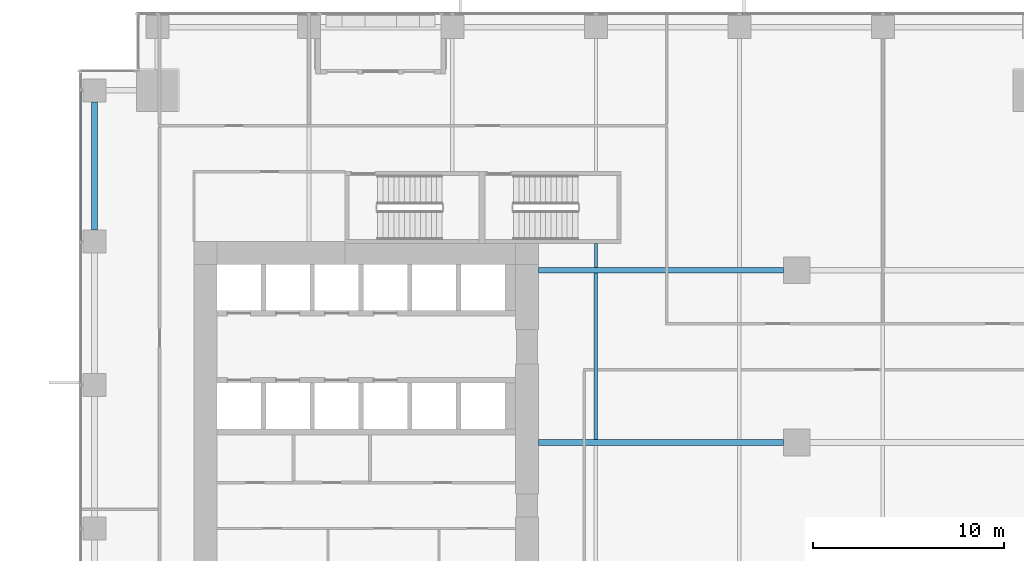
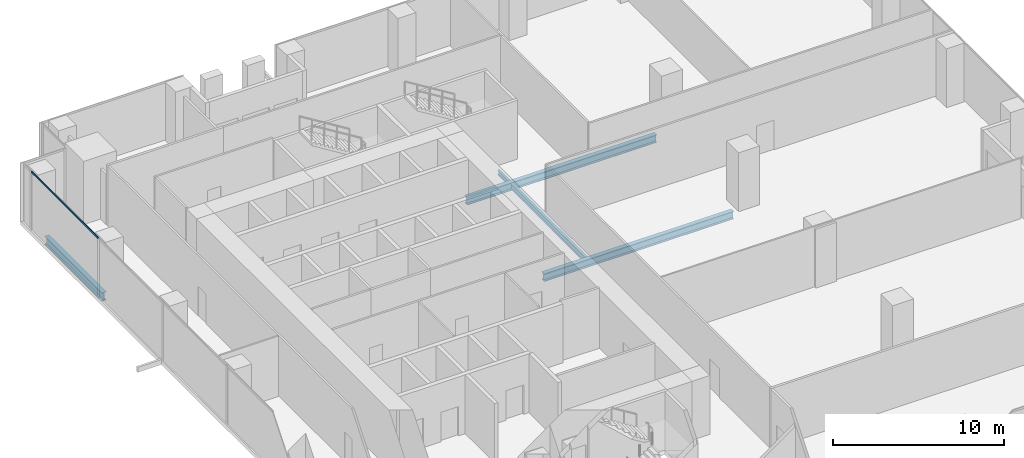
# One storey, part 13 of 33: 5 beams, 1 member, 1 element without a shape of its own.
"""IFC4 building model written with IfcOpenShell, lengths in metres."""

from ifc_helpers import new_model, si_unit, direction, frame, origin, origin_2d, place, context, subcontext, project, spatial, hollow_rectangle, i_section, extrude, source, transform, mapped, material, material_profile, profile_set, type_object, element, aggregate, save


model = new_model("IFC4")

# Units and contexts
model_context = context("Model", 3, precision=1e-05, world=origin(), true_north=direction((0.0, 1.0)))
body_context = subcontext(model_context, "Body", "Model", "MODEL_VIEW")
ifc_project = project(units=[si_unit("LENGTHUNIT", "METRE"), si_unit("AREAUNIT", "SQUARE_METRE"), si_unit("VOLUMEUNIT", "CUBIC_METRE"), si_unit("PLANEANGLEUNIT", "RADIAN"), si_unit("MASSUNIT", "GRAM", prefix="KILO")], contexts=[model_context])

# Site, building, storey
site_placement = place(None, origin())
site = spatial("IfcSite", under=ifc_project, at=site_placement, CompositionType="ELEMENT")
building_placement = place(site_placement, origin())
building = spatial("IfcBuilding", under=site, at=building_placement, Name="Khomas Fold Tower", CompositionType="ELEMENT")
storey_placement = place(building_placement, frame((0.0, 0.0, 82.5)))
storey = spatial("IfcBuildingStorey", under=building, at=storey_placement, Name="L17", CompositionType="ELEMENT", Elevation=82.5)

# Beams
ifc_material_1 = material(Name="Steel S355", Category="steel")
ifc_material_profile_1 = material_profile(ifc_material_1, i_section(OverallWidth=0.300048828125, OverallDepth=0.550048828125, WebThickness=0.014892578125, FlangeThickness=0.029052734375, at=origin_2d()), Name="HE 550 B")
ifc_profile_set_1 = profile_set([ifc_material_profile_1], Name="Steel S355")
beam_type_1 = type_object("IfcBeamType", Name="HE 550 B beam GB4", PredefinedType="BEAM", material=ifc_profile_set_1)
shared_shape_1 = source(origin(), body_context, "Body", "SweptSolid", [
    extrude(i_section(OverallWidth=0.300048828125, OverallDepth=0.550048828125, WebThickness=0.014892578125, FlangeThickness=0.029052734375, at=origin_2d()), origin(), (0.0, 0.0, 1.0), 12.800048828125),
])
for number, where, z_axis, x_axis, name in (
    (1, (24.0, 31.5, -0.574951171875), (1.0, 0.0, 0.0), (0.0, 1.0, 0.0), "GB4"),
    (2, (24.0, 40.5, -0.574951171875), (1.0, 0.0, 0.0), (0.0, 1.0, 0.0), "GB4"),
):
    element("IfcBeam", number, at=place(storey_placement, frame(where, z_axis=z_axis, x_axis=x_axis)), inside=storey, type_object=beam_type_1, Name=name, PredefinedType="BEAM", context=body_context, shape_type="MappedRepresentation", body=[
        mapped(shared_shape_1, transform((0.0, 0.0, 0.0))),
    ])
ifc_material_2 = material(Name="Steel S355", Category="steel")
ifc_material_profile_2 = material_profile(ifc_material_2, i_section(OverallWidth=0.179931640625, OverallDepth=0.39990234375, WebThickness=0.008544921875, FlangeThickness=0.013427734375, at=origin_2d()), Name="IPE 400")
ifc_profile_set_2 = profile_set([ifc_material_profile_2], Name="Steel S355")
beam_type_2 = type_object("IfcBeamType", Name="IPE 400 beam JB3", PredefinedType="BEAM", material=ifc_profile_set_2)
shared_shape_2 = source(origin(), body_context, "Body", "SweptSolid", [
    extrude(i_section(OverallWidth=0.179931640625, OverallDepth=0.39990234375, WebThickness=0.008544921875, FlangeThickness=0.013427734375, at=origin_2d()), origin(), (0.0, 0.0, 1.0), 8.7001953125),
])
beam_1_placement = place(storey_placement, frame((27.0, 31.64990234375, -0.5), z_axis=(0.0, 1.0, 0.0), x_axis=(-1.0, 0.0, 0.0)))
element("IfcBeam", 3, at=beam_1_placement, inside=storey, type_object=beam_type_2, Name="JB3", PredefinedType="BEAM", context=body_context, shape_type="MappedRepresentation", body=[
    mapped(shared_shape_2, transform((0.0, 0.0, 0.0))),
])
ifc_material_3 = material(Name="Steel S355", Category="steel")
ifc_material_profile_3 = material_profile(ifc_material_3, i_section(OverallWidth=0.300048828125, OverallDepth=0.60009765625, WebThickness=0.015380859375, FlangeThickness=0.030029296875, at=origin_2d()), Name="HE 600 B")
ifc_profile_set_3 = profile_set([ifc_material_profile_3], Name="Steel S355")
beam_type_3 = type_object("IfcBeamType", Name="HE 600 B spandrel SB1", PredefinedType="SPANDREL", material=ifc_profile_set_3)
shared_shape_3 = source(origin(), body_context, "Body", "SweptSolid", [
    extrude(i_section(OverallWidth=0.300048828125, OverallDepth=0.60009765625, WebThickness=0.015380859375, FlangeThickness=0.030029296875, at=origin_2d()), origin(), (0.0, 0.0, 1.0), 6.699951171875),
])
beam_2_placement = place(storey_placement, frame((0.800048828125, 42.60009765625, -0.60009765625), z_axis=(0.0, 1.0, 0.0), x_axis=(-1.0, 0.0, 0.0)))
element("IfcBeam", 4, at=beam_2_placement, inside=storey, type_object=beam_type_3, Name="SB1", PredefinedType="SPANDREL", context=body_context, shape_type="MappedRepresentation", body=[
    mapped(shared_shape_3, transform((0.0, 0.0, 0.0))),
])
ifc_material_4 = material(Name="Steel S355", Category="steel")
ifc_material_profile_4 = material_profile(ifc_material_4, i_section(OverallWidth=0.159912109375, OverallDepth=0.330078125, WebThickness=0.007568359375, FlangeThickness=0.011474609375, at=origin_2d()), Name="IPE 330")
ifc_profile_set_4 = profile_set([ifc_material_profile_4], Name="Steel S355")
beam_type_4 = type_object("IfcBeamType", Name="IPE 330 beam JB1", PredefinedType="BEAM", material=ifc_profile_set_4)
shared_shape_4 = source(origin(), body_context, "Body", "SweptSolid", [
    extrude(i_section(OverallWidth=0.159912109375, OverallDepth=0.330078125, WebThickness=0.007568359375, FlangeThickness=0.011474609375, at=origin_2d()), origin(), (0.0, 0.0, 1.0), 1.25),
])
beam_3_placement = place(storey_placement, frame((27.0, 40.64990234375, -0.465087890625), z_axis=(0.0, 1.0, 0.0), x_axis=(-1.0, 0.0, 0.0)))
element("IfcBeam", 5, at=beam_3_placement, inside=storey, type_object=beam_type_4, Name="JB1", PredefinedType="BEAM", context=body_context, shape_type="MappedRepresentation", body=[
    mapped(shared_shape_4, transform((0.0, 0.0, 0.0))),
])

# Curtain wall, member
ifc_material_5 = material(Name="Aluminium framed double glazing", Category="aluminium")
curtain_wall_type = type_object("IfcCurtainWallType", Name="SK-Unitised clear-glass wall, growing floors CW1", PredefinedType="NOTDEFINED", material=ifc_material_5)
curtain_wall_placement = place(storey_placement, origin())
curtain_wall = element("IfcCurtainWall", 6, at=curtain_wall_placement, inside=storey, type_object=curtain_wall_type, Name="CW1 run L17 09-0", PredefinedType="NOTDEFINED")
ifc_material_6 = material(Name="Aluminium", Category="aluminium")
ifc_material_profile_5 = material_profile(ifc_material_6, hollow_rectangle(XDim=0.06005859375, YDim=0.1201171875, WallThickness=0.00390625, at=origin_2d()), Name="SK-Unitised clear-glass wall, growing floors transom CW1-T")
ifc_profile_set_5 = profile_set([ifc_material_profile_5], Name="Aluminium")
member_type = type_object("IfcMemberType", Name="SK-Unitised clear-glass wall, growing floors transom CW1-T", PredefinedType="USERDEFINED", material=ifc_profile_set_5)
shared_shape_5 = source(origin(), body_context, "Body", "SweptSolid", [
    extrude(hollow_rectangle(XDim=0.06005859375, YDim=0.1201171875, WallThickness=0.00390625, at=origin_2d()), origin(), (0.0, 0.0, 1.0), 7.840087890625),
])
member_placement = place(storey_placement, frame((0.10009765625, 49.8701171875, 4.139892578125), z_axis=(0.0, -1.0, 0.0), x_axis=(1.0, 0.0, 0.0)))
member = element("IfcMember", 7, at=member_placement, type_object=member_type, Name="CW1 transom 2", ObjectType="TRANSOM", PredefinedType="USERDEFINED", context=body_context, shape_type="MappedRepresentation", body=[
    mapped(shared_shape_5, transform((0.0, 0.0, 0.0))),
])
aggregate(curtain_wall, [member])

save(model, "model.ifc")
